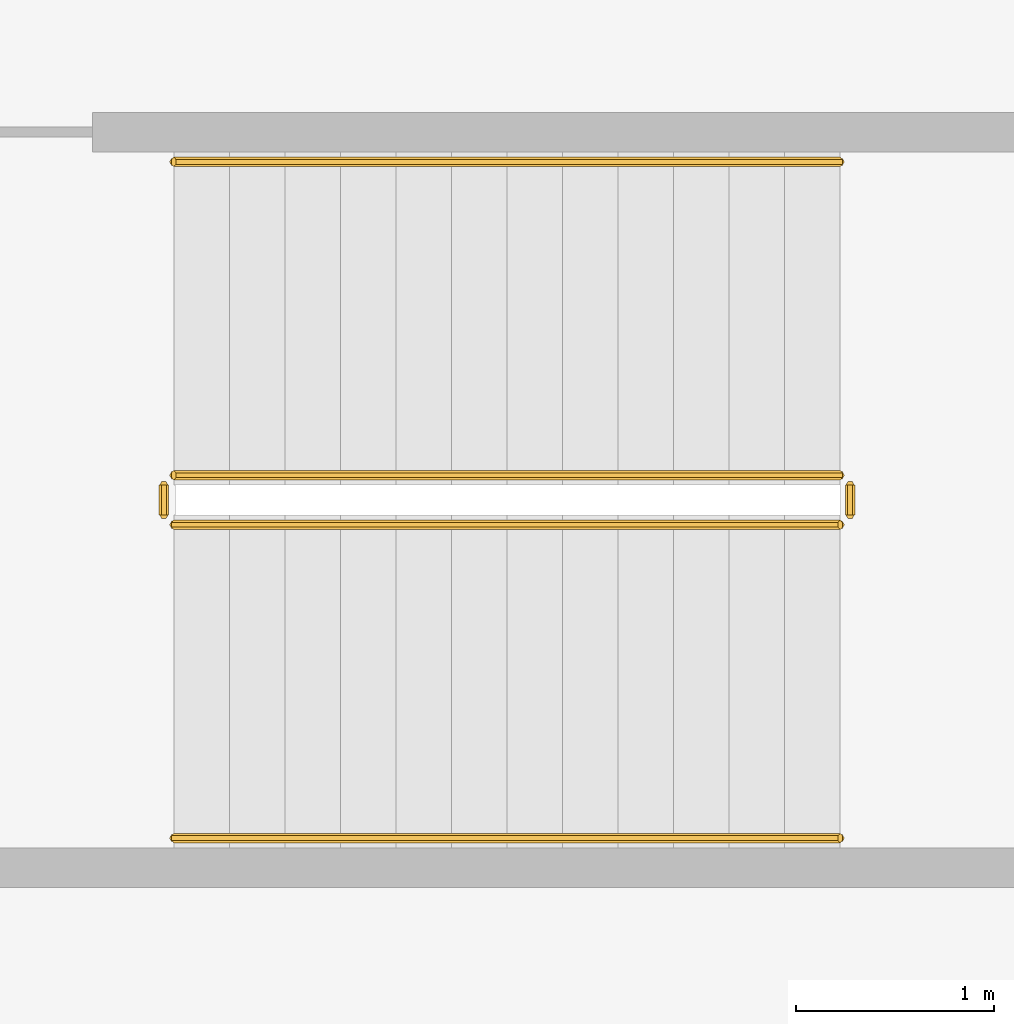
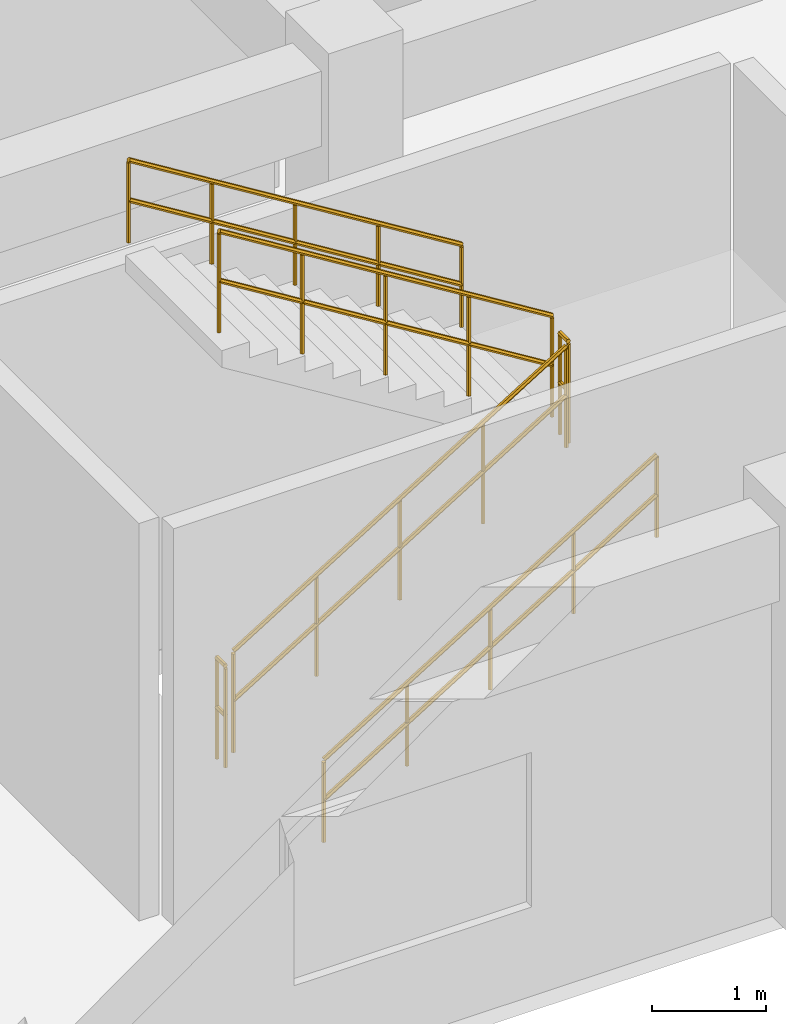
# One storey, part 48 of 55: 6 railings.
"""IFC4 building model written with IfcOpenShell, lengths in metres."""

from ifc_helpers import new_model, si_unit, direction, frame, origin, place, context, subcontext, project, spatial, polyline, outline, extrude, material, type_object, element, save


model = new_model("IFC4")

# Units and contexts
model_context = context("Model", 3, precision=1e-05, world=origin(), true_north=direction((0.0, 1.0)))
body_context = subcontext(model_context, "Body", "Model", "MODEL_VIEW")
ifc_project = project(units=[si_unit("LENGTHUNIT", "METRE"), si_unit("AREAUNIT", "SQUARE_METRE"), si_unit("VOLUMEUNIT", "CUBIC_METRE"), si_unit("PLANEANGLEUNIT", "RADIAN"), si_unit("MASSUNIT", "GRAM", prefix="KILO")], contexts=[model_context])

# Site, building, storey
site_placement = place(None, origin())
site = spatial("IfcSite", under=ifc_project, at=site_placement, CompositionType="ELEMENT")
building_placement = place(site_placement, origin())
building = spatial("IfcBuilding", under=site, at=building_placement, Name="Kelanora Arch Commons", CompositionType="ELEMENT")
storey_placement = place(building_placement, frame((0.0, 0.0, 4.5)))
storey = spatial("IfcBuildingStorey", under=building, at=storey_placement, Name="L01", CompositionType="ELEMENT", Elevation=4.5)

# Railings
ifc_material_1 = material(Name="Painted steel stair well guard", Category="steel")
railing_type_1 = type_object("IfcRailingType", Name="RAIL-STAIR-GRD", PredefinedType="GUARDRAIL", material=ifc_material_1)
railing_1_placement = place(storey_placement, frame((8.679931640625, 8.18994140625, 0.173095703125)))
element("IfcRailing", 1, at=railing_1_placement, inside=storey, type_object=railing_type_1, Name="L01 ST-M1 stair guard 1", PredefinedType="GUARDRAIL", context=body_context, shape_type="SweptSolid", body=[
    extrude(outline(polyline([(0.02392578125, 0.0), (0.011962890625, 0.020751953125), (-0.011962890625, 0.020751953125), (-0.02392578125, 0.0), (-0.011962890625, -0.020751953125), (0.011962890625, -0.020751953125), (0.02392578125, 0.0)])), frame((0.0, 0.0, 1.076171875), z_axis=(0.850623216509, 0.0, 0.525775754039), x_axis=(0.0, 1.0, 0.0)), (0.0, 0.0, 1.0), 3.9501953125),
    extrude(outline(polyline([(0.02392578125, 0.0), (0.011962890625, 0.020751953125), (-0.011962890625, 0.020751953125), (-0.02392578125, 0.0), (-0.011962890625, -0.020751953125), (0.011962890625, -0.020751953125), (0.02392578125, 0.0)])), frame((0.0, 0.0, 0.550048828125), z_axis=(0.850623216509, 0.0, 0.525775754039), x_axis=(0.0, 1.0, 0.0)), (0.0, 0.0, 1.0), 3.9501953125),
    extrude(outline(polyline([(0.02099609375, 0.0), (0.010498046875, 0.01806640625), (-0.010498046875, 0.01806640625), (-0.02099609375, 0.0), (-0.010498046875, -0.01806640625), (0.010498046875, -0.01806640625), (0.02099609375, 0.0)])), origin(), (0.0, 0.0, 1.0), 1.052001953125),
    extrude(outline(polyline([(0.02099609375, 0.0), (0.010498046875, 0.01806640625), (-0.010498046875, 0.01806640625), (-0.02099609375, 0.0), (-0.010498046875, -0.01806640625), (0.010498046875, -0.01806640625), (0.02099609375, 0.0)])), frame((0.840087890625, 0.0, 0.519287109375)), (0.0, 0.0, 1.0), 1.052001953125),
    extrude(outline(polyline([(0.02099609375, 0.0), (0.010498046875, 0.01806640625), (-0.010498046875, 0.01806640625), (-0.02099609375, 0.0), (-0.010498046875, -0.01806640625), (0.010498046875, -0.01806640625), (0.02099609375, 0.0)])), frame((1.68017578125, 0.0, 1.03857421875)), (0.0, 0.0, 1.0), 1.052001953125),
    extrude(outline(polyline([(0.02099609375, 0.0), (0.010498046875, 0.01806640625), (-0.010498046875, 0.01806640625), (-0.02099609375, 0.0), (-0.010498046875, -0.01806640625), (0.010498046875, -0.01806640625), (0.02099609375, 0.0)])), frame((2.52001953125, 0.0, 1.5576171875)), (0.0, 0.0, 1.0), 1.052001953125),
    extrude(outline(polyline([(0.02099609375, 0.0), (0.010498046875, 0.01806640625), (-0.010498046875, 0.01806640625), (-0.02099609375, 0.0), (-0.010498046875, -0.01806640625), (0.010498046875, -0.01806640625), (0.02099609375, 0.0)])), frame((3.360107421875, 0.0, 2.076904296875)), (0.0, 0.0, 1.0), 1.052001953125),
])
railing_2_placement = place(storey_placement, frame((12.090087890625, 8.239990234375, 2.25)))
element("IfcRailing", 2, at=railing_2_placement, inside=storey, type_object=railing_type_1, Name="L01 ST-M1 stair guard 2", PredefinedType="GUARDRAIL", context=body_context, shape_type="SweptSolid", body=[
    extrude(outline(polyline([(0.02392578125, 0.0), (0.011962890625, 0.020751953125), (-0.011962890625, 0.020751953125), (-0.02392578125, 0.0), (-0.011962890625, -0.020751953125), (0.011962890625, -0.020751953125), (0.02392578125, 0.0)])), frame((0.0, 0.0, 1.076171875), z_axis=(0.0, 1.0, 0.0), x_axis=(-1.0, 0.0, 0.0)), (0.0, 0.0, 1.0), 0.14990234375),
    extrude(outline(polyline([(0.02392578125, 0.0), (0.011962890625, 0.020751953125), (-0.011962890625, 0.020751953125), (-0.02392578125, 0.0), (-0.011962890625, -0.020751953125), (0.011962890625, -0.020751953125), (0.02392578125, 0.0)])), frame((0.0, 0.0, 0.550048828125), z_axis=(0.0, 1.0, 0.0), x_axis=(-1.0, 0.0, 0.0)), (0.0, 0.0, 1.0), 0.14990234375),
    extrude(outline(polyline([(0.02099609375, 0.0), (0.010498046875, 0.01806640625), (-0.010498046875, 0.01806640625), (-0.02099609375, 0.0), (-0.010498046875, -0.01806640625), (0.010498046875, -0.01806640625), (0.02099609375, 0.0)])), origin(), (0.0, 0.0, 1.0), 1.052001953125),
    extrude(outline(polyline([(0.02099609375, 0.0), (0.010498046875, 0.01806640625), (-0.010498046875, 0.01806640625), (-0.02099609375, 0.0), (-0.010498046875, -0.01806640625), (0.010498046875, -0.01806640625), (0.02099609375, 0.0)])), frame((0.0, 0.14990234375, 0.0)), (0.0, 0.0, 1.0), 1.052001953125),
])
railing_3_placement = place(storey_placement, frame((12.0400390625, 8.43994140625, 2.423095703125)))
element("IfcRailing", 3, at=railing_3_placement, inside=storey, type_object=railing_type_1, Name="L01 ST-M1 stair guard 3", PredefinedType="GUARDRAIL", context=body_context, shape_type="SweptSolid", body=[
    extrude(outline(polyline([(0.02392578125, 0.0), (0.011962890625, 0.020751953125), (-0.011962890625, 0.020751953125), (-0.02392578125, 0.0), (-0.011962890625, -0.020751953125), (0.011962890625, -0.020751953125), (0.02392578125, 0.0)])), frame((0.0, 0.0, 1.076171875), z_axis=(-0.850623216509, 0.0, 0.525775754039), x_axis=(0.0, -1.0, 0.0)), (0.0, 0.0, 1.0), 3.9501953125),
    extrude(outline(polyline([(0.02392578125, 0.0), (0.011962890625, 0.020751953125), (-0.011962890625, 0.020751953125), (-0.02392578125, 0.0), (-0.011962890625, -0.020751953125), (0.011962890625, -0.020751953125), (0.02392578125, 0.0)])), frame((0.0, 0.0, 0.550048828125), z_axis=(-0.850623216509, 0.0, 0.525775754039), x_axis=(0.0, -1.0, 0.0)), (0.0, 0.0, 1.0), 3.9501953125),
    extrude(outline(polyline([(0.02099609375, 0.0), (0.010498046875, 0.01806640625), (-0.010498046875, 0.01806640625), (-0.02099609375, 0.0), (-0.010498046875, -0.01806640625), (0.010498046875, -0.01806640625), (0.02099609375, 0.0)])), origin(), (0.0, 0.0, 1.0), 1.052001953125),
    extrude(outline(polyline([(0.02099609375, 0.0), (0.010498046875, 0.01806640625), (-0.010498046875, 0.01806640625), (-0.02099609375, 0.0), (-0.010498046875, -0.01806640625), (0.010498046875, -0.01806640625), (0.02099609375, 0.0)])), frame((-0.840087890625, 0.0, 0.519287109375)), (0.0, 0.0, 1.0), 1.052001953125),
    extrude(outline(polyline([(0.02099609375, 0.0), (0.010498046875, 0.01806640625), (-0.010498046875, 0.01806640625), (-0.02099609375, 0.0), (-0.010498046875, -0.01806640625), (0.010498046875, -0.01806640625), (0.02099609375, 0.0)])), frame((-1.68017578125, 0.0, 1.03857421875)), (0.0, 0.0, 1.0), 1.052001953125),
    extrude(outline(polyline([(0.02099609375, 0.0), (0.010498046875, 0.01806640625), (-0.010498046875, 0.01806640625), (-0.02099609375, 0.0), (-0.010498046875, -0.01806640625), (0.010498046875, -0.01806640625), (0.02099609375, 0.0)])), frame((-2.52001953125, 0.0, 1.5576171875)), (0.0, 0.0, 1.0), 1.052001953125),
    extrude(outline(polyline([(0.02099609375, 0.0), (0.010498046875, 0.01806640625), (-0.010498046875, 0.01806640625), (-0.02099609375, 0.0), (-0.010498046875, -0.01806640625), (0.010498046875, -0.01806640625), (0.02099609375, 0.0)])), frame((-3.360107421875, 0.0, 2.076904296875)), (0.0, 0.0, 1.0), 1.052001953125),
])
railing_4_placement = place(storey_placement, frame((8.6298828125, 8.239990234375, 0.0)))
element("IfcRailing", 4, at=railing_4_placement, inside=storey, type_object=railing_type_1, Name="L01 ST-M1 stair guard 4", PredefinedType="GUARDRAIL", context=body_context, shape_type="SweptSolid", body=[
    extrude(outline(polyline([(0.02392578125, 0.0), (0.011962890625, 0.020751953125), (-0.011962890625, 0.020751953125), (-0.02392578125, 0.0), (-0.011962890625, -0.020751953125), (0.011962890625, -0.020751953125), (0.02392578125, 0.0)])), frame((0.0, 0.0, 1.076171875), z_axis=(0.0, 1.0, 0.0), x_axis=(-1.0, 0.0, 0.0)), (0.0, 0.0, 1.0), 0.14990234375),
    extrude(outline(polyline([(0.02392578125, 0.0), (0.011962890625, 0.020751953125), (-0.011962890625, 0.020751953125), (-0.02392578125, 0.0), (-0.011962890625, -0.020751953125), (0.011962890625, -0.020751953125), (0.02392578125, 0.0)])), frame((0.0, 0.0, 0.550048828125), z_axis=(0.0, 1.0, 0.0), x_axis=(-1.0, 0.0, 0.0)), (0.0, 0.0, 1.0), 0.14990234375),
    extrude(outline(polyline([(0.02099609375, 0.0), (0.010498046875, 0.01806640625), (-0.010498046875, 0.01806640625), (-0.02099609375, 0.0), (-0.010498046875, -0.01806640625), (0.010498046875, -0.01806640625), (0.02099609375, 0.0)])), origin(), (0.0, 0.0, 1.0), 1.052001953125),
    extrude(outline(polyline([(0.02099609375, 0.0), (0.010498046875, 0.01806640625), (-0.010498046875, 0.01806640625), (-0.02099609375, 0.0), (-0.010498046875, -0.01806640625), (0.010498046875, -0.01806640625), (0.02099609375, 0.0)])), frame((0.0, 0.14990234375, 0.0)), (0.0, 0.0, 1.0), 1.052001953125),
])
ifc_material_2 = material(Name="Brushed stainless steel stair handrail", Category="steel")
railing_type_2 = type_object("IfcRailingType", Name="RAIL-STAIR-HND", PredefinedType="HANDRAIL", material=ifc_material_2)
railing_5_placement = place(storey_placement, frame((8.679931640625, 6.610107421875, 0.173095703125)))
element("IfcRailing", 5, at=railing_5_placement, inside=storey, type_object=railing_type_2, Name="L01 ST-M1 stair handrail 1", PredefinedType="HANDRAIL", context=body_context, shape_type="SweptSolid", body=[
    extrude(outline(polyline([(0.02392578125, 0.0), (0.011962890625, 0.020751953125), (-0.011962890625, 0.020751953125), (-0.02392578125, 0.0), (-0.011962890625, -0.020751953125), (0.011962890625, -0.020751953125), (0.02392578125, 0.0)])), frame((0.0, 0.0, 0.8759765625), z_axis=(0.850623216509, 0.0, 0.525775754039), x_axis=(0.0, 1.0, 0.0)), (0.0, 0.0, 1.0), 3.9501953125),
    extrude(outline(polyline([(0.02392578125, 0.0), (0.011962890625, 0.020751953125), (-0.011962890625, 0.020751953125), (-0.02392578125, 0.0), (-0.011962890625, -0.020751953125), (0.011962890625, -0.020751953125), (0.02392578125, 0.0)])), frame((0.0, 0.0, 0.449951171875), z_axis=(0.850623216509, 0.0, 0.525775754039), x_axis=(0.0, 1.0, 0.0)), (0.0, 0.0, 1.0), 3.9501953125),
    extrude(outline(polyline([(0.02099609375, 0.0), (0.010498046875, 0.01806640625), (-0.010498046875, 0.01806640625), (-0.02099609375, 0.0), (-0.010498046875, -0.01806640625), (0.010498046875, -0.01806640625), (0.02099609375, 0.0)])), origin(), (0.0, 0.0, 1.0), 0.851806640625),
    extrude(outline(polyline([(0.02099609375, 0.0), (0.010498046875, 0.01806640625), (-0.010498046875, 0.01806640625), (-0.02099609375, 0.0), (-0.010498046875, -0.01806640625), (0.010498046875, -0.01806640625), (0.02099609375, 0.0)])), frame((0.840087890625, 0.0, 0.519287109375)), (0.0, 0.0, 1.0), 0.851806640625),
    extrude(outline(polyline([(0.02099609375, 0.0), (0.010498046875, 0.01806640625), (-0.010498046875, 0.01806640625), (-0.02099609375, 0.0), (-0.010498046875, -0.01806640625), (0.010498046875, -0.01806640625), (0.02099609375, 0.0)])), frame((1.68017578125, 0.0, 1.03857421875)), (0.0, 0.0, 1.0), 0.851806640625),
    extrude(outline(polyline([(0.02099609375, 0.0), (0.010498046875, 0.01806640625), (-0.010498046875, 0.01806640625), (-0.02099609375, 0.0), (-0.010498046875, -0.01806640625), (0.010498046875, -0.01806640625), (0.02099609375, 0.0)])), frame((2.52001953125, 0.0, 1.5576171875)), (0.0, 0.0, 1.0), 0.851806640625),
    extrude(outline(polyline([(0.02099609375, 0.0), (0.010498046875, 0.01806640625), (-0.010498046875, 0.01806640625), (-0.02099609375, 0.0), (-0.010498046875, -0.01806640625), (0.010498046875, -0.01806640625), (0.02099609375, 0.0)])), frame((3.360107421875, 0.0, 2.076904296875)), (0.0, 0.0, 1.0), 0.851806640625),
])
railing_6_placement = place(storey_placement, frame((12.0400390625, 10.02001953125, 2.423095703125)))
element("IfcRailing", 6, at=railing_6_placement, inside=storey, type_object=railing_type_2, Name="L01 ST-M1 stair handrail 2", PredefinedType="HANDRAIL", context=body_context, shape_type="SweptSolid", body=[
    extrude(outline(polyline([(0.02392578125, 0.0), (0.011962890625, 0.020751953125), (-0.011962890625, 0.020751953125), (-0.02392578125, 0.0), (-0.011962890625, -0.020751953125), (0.011962890625, -0.020751953125), (0.02392578125, 0.0)])), frame((0.0, 0.0, 0.8759765625), z_axis=(-0.850623216509, 0.0, 0.525775754039), x_axis=(0.0, -1.0, 0.0)), (0.0, 0.0, 1.0), 3.9501953125),
    extrude(outline(polyline([(0.02392578125, 0.0), (0.011962890625, 0.020751953125), (-0.011962890625, 0.020751953125), (-0.02392578125, 0.0), (-0.011962890625, -0.020751953125), (0.011962890625, -0.020751953125), (0.02392578125, 0.0)])), frame((0.0, 0.0, 0.449951171875), z_axis=(-0.850623216509, 0.0, 0.525775754039), x_axis=(0.0, -1.0, 0.0)), (0.0, 0.0, 1.0), 3.9501953125),
    extrude(outline(polyline([(0.02099609375, 0.0), (0.010498046875, 0.01806640625), (-0.010498046875, 0.01806640625), (-0.02099609375, 0.0), (-0.010498046875, -0.01806640625), (0.010498046875, -0.01806640625), (0.02099609375, 0.0)])), origin(), (0.0, 0.0, 1.0), 0.851806640625),
    extrude(outline(polyline([(0.02099609375, 0.0), (0.010498046875, 0.01806640625), (-0.010498046875, 0.01806640625), (-0.02099609375, 0.0), (-0.010498046875, -0.01806640625), (0.010498046875, -0.01806640625), (0.02099609375, 0.0)])), frame((-0.840087890625, 0.0, 0.519287109375)), (0.0, 0.0, 1.0), 0.851806640625),
    extrude(outline(polyline([(0.02099609375, 0.0), (0.010498046875, 0.01806640625), (-0.010498046875, 0.01806640625), (-0.02099609375, 0.0), (-0.010498046875, -0.01806640625), (0.010498046875, -0.01806640625), (0.02099609375, 0.0)])), frame((-1.68017578125, 0.0, 1.03857421875)), (0.0, 0.0, 1.0), 0.851806640625),
    extrude(outline(polyline([(0.02099609375, 0.0), (0.010498046875, 0.01806640625), (-0.010498046875, 0.01806640625), (-0.02099609375, 0.0), (-0.010498046875, -0.01806640625), (0.010498046875, -0.01806640625), (0.02099609375, 0.0)])), frame((-2.52001953125, 0.0, 1.5576171875)), (0.0, 0.0, 1.0), 0.851806640625),
    extrude(outline(polyline([(0.02099609375, 0.0), (0.010498046875, 0.01806640625), (-0.010498046875, 0.01806640625), (-0.02099609375, 0.0), (-0.010498046875, -0.01806640625), (0.010498046875, -0.01806640625), (0.02099609375, 0.0)])), frame((-3.360107421875, 0.0, 2.076904296875)), (0.0, 0.0, 1.0), 0.851806640625),
])

save(model, "model.ifc")
